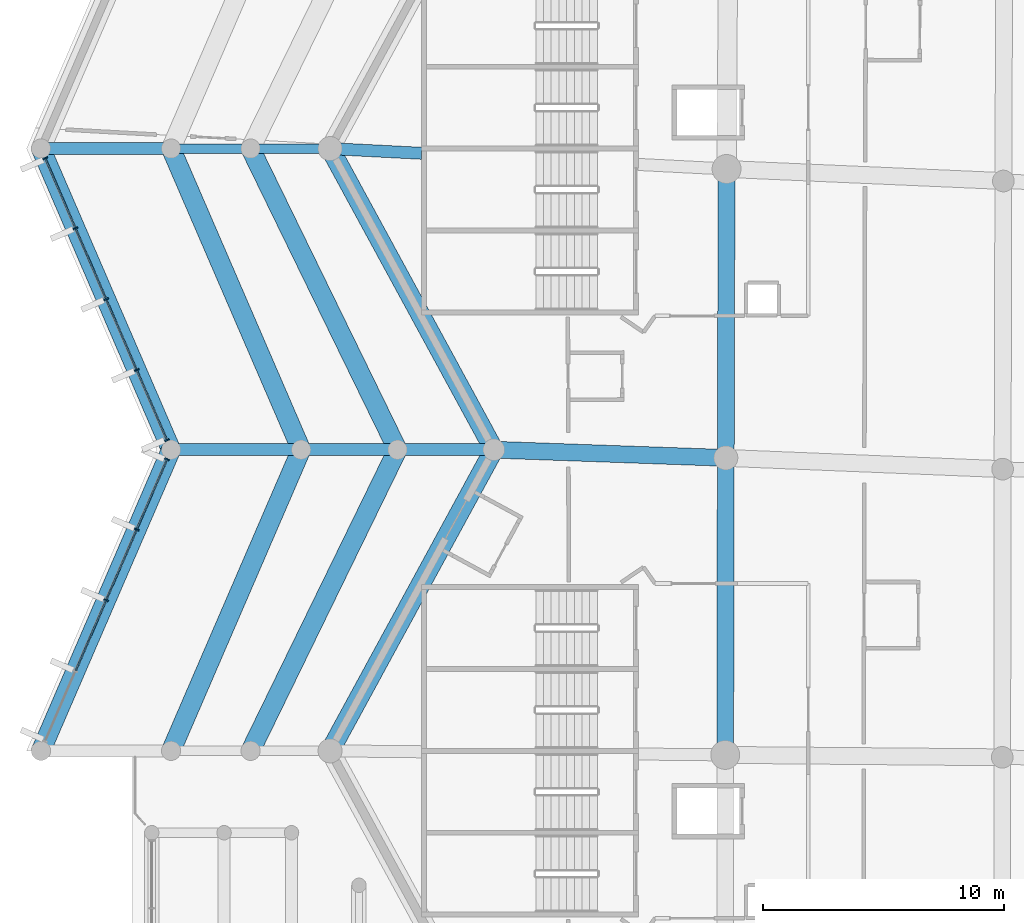
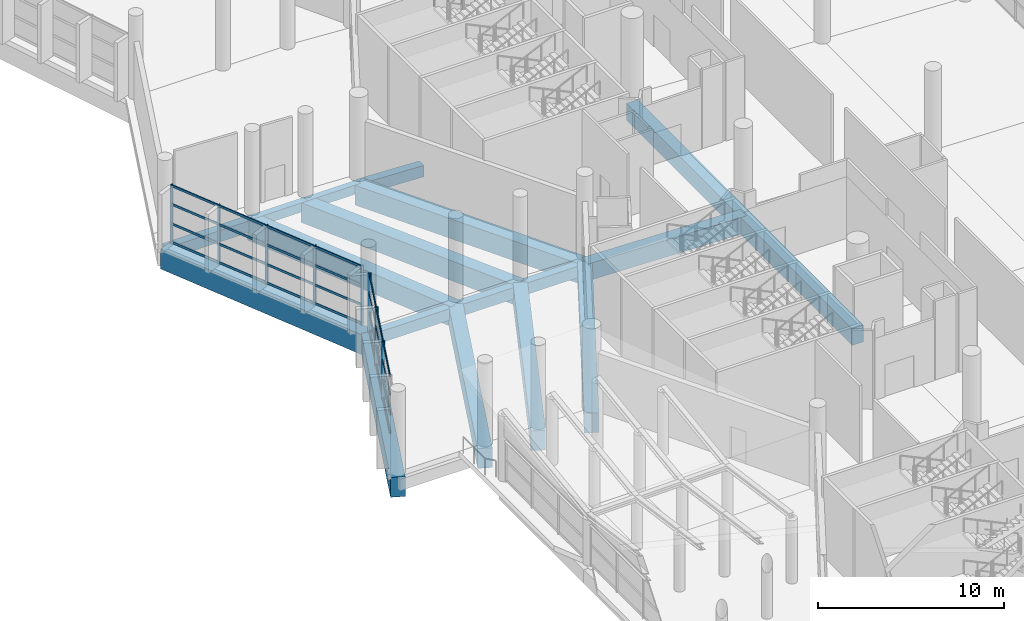
# One storey, part 67 of 271: 36 members, 18 beams, 2 elements without a shape of their own.
"""IFC4 building model written with IfcOpenShell, lengths in metres."""

from ifc_helpers import new_model, si_unit, direction, frame, origin, origin_2d, place, context, subcontext, project, spatial, rectangle, extrude, material, layer, layer_set, material_profile, profile_set, type_object, element, aggregate, save


model = new_model("IFC4")

# Units and contexts
model_context = context("Model", 3, precision=1e-05, world=origin(), true_north=direction((0.0, 1.0)))
body_context = subcontext(model_context, "Body", "Model", "MODEL_VIEW")
ifc_project = project(units=[si_unit("LENGTHUNIT", "METRE"), si_unit("AREAUNIT", "SQUARE_METRE"), si_unit("VOLUMEUNIT", "CUBIC_METRE"), si_unit("PLANEANGLEUNIT", "RADIAN"), si_unit("MASSUNIT", "GRAM", prefix="KILO")], contexts=[model_context])

# Site, building, storey
site_placement = place(None, origin())
site = spatial("IfcSite", under=ifc_project, at=site_placement, CompositionType="ELEMENT")
building_placement = place(site_placement, origin())
building = spatial("IfcBuilding", under=site, at=building_placement, Name="Meseta Stadium", CompositionType="ELEMENT")
storey_placement = place(building_placement, frame((0.0, 0.0, 6.5)))
storey = spatial("IfcBuildingStorey", under=building, at=storey_placement, Name="L01", CompositionType="ELEMENT", Elevation=6.5)

# Beams
ifc_material_1 = material(Name="Concrete C40/50", Category="concrete")
ifc_material_profile_1 = material_profile(ifc_material_1, rectangle(XDim=0.39990234375, YDim=0.60009765625, at=origin_2d()), Name="RC 400x600")
ifc_profile_set_1 = profile_set([ifc_material_profile_1], Name="Concrete C40/50")
beam_type_1 = type_object("IfcBeamType", Name="RC beam 400x600", PredefinedType="BEAM", material=ifc_profile_set_1)
for number, where, z_axis, x_axis, name in (
    (1, (-101.39990234375, 31.25, -0.64990234375), (-1.0, 0.0, 0.0), (0.0, -1.0, 0.0), "L01 radial beam frame 30 line R to M"),
    (2, (-104.699951171875, 31.25, -0.64990234375), (-1.0, 0.0, 0.0), (0.0, -1.0, 0.0), "L01 radial beam frame 30 line M to Q"),
):
    element("IfcBeam", number, at=place(storey_placement, frame(where, z_axis=z_axis, x_axis=x_axis)), inside=storey, type_object=beam_type_1, Name=name, PredefinedType="BEAM", context=body_context, shape_type="SweptSolid", body=[
        extrude(rectangle(XDim=0.39990234375, YDim=0.60009765625, at=origin_2d()), origin(), (0.0, 0.0, 1.0), 3.300048828125),
    ])
ifc_material_2 = material(Name="Concrete C40/50", Category="concrete")
ifc_material_profile_2 = material_profile(ifc_material_2, rectangle(XDim=0.5, YDim=0.75, at=origin_2d()), Name="RC 500x750")
ifc_profile_set_2 = profile_set([ifc_material_profile_2], Name="Concrete C40/50")
beam_type_2 = type_object("IfcBeamType", Name="RC beam 500x750", PredefinedType="BEAM", material=ifc_profile_set_2)
beam_1_placement = place(storey_placement, frame((-97.60009765625, 31.0546875, -0.72509765625), z_axis=(-0.998681597522, 0.05133290144, 0.0), x_axis=(-0.05133290144, -0.998681597522, 0.0)))
element("IfcBeam", 3, at=beam_1_placement, inside=storey, type_object=beam_type_2, Name="L01 radial beam frame 30 line P to R", PredefinedType="BEAM", context=body_context, shape_type="SweptSolid", body=[
    extrude(rectangle(XDim=0.5, YDim=0.75, at=origin_2d()), origin(), (0.0, 0.0, 1.0), 3.804931640625),
])
beam_2_placement = place(storey_placement, frame((-108.0, 31.25, -0.72509765625), z_axis=(-1.0, 0.0, 0.0), x_axis=(0.0, -1.0, 0.0)))
element("IfcBeam", 4, at=beam_2_placement, inside=storey, type_object=beam_type_2, Name="L01 radial beam frame 30 line Q to O", PredefinedType="BEAM", context=body_context, shape_type="SweptSolid", body=[
    extrude(rectangle(XDim=0.5, YDim=0.75, at=origin_2d()), origin(), (0.0, 0.0, 1.0), 5.39990234375),
])
for number, where, z_axis, x_axis, name in (
    (5, (-94.60009765625, 18.75, -0.72509765625), (-1.0, 0.0, 0.0), (0.0, -1.0, 0.0), "L01 radial beam frame 31 line R to M"),
    (6, (-98.60009765625, 18.75, -0.72509765625), (-1.0, 0.0, 0.0), (0.0, -1.0, 0.0), "L01 radial beam frame 31 line M to Q"),
):
    element("IfcBeam", number, at=place(storey_placement, frame(where, z_axis=z_axis, x_axis=x_axis)), inside=storey, type_object=beam_type_2, Name=name, PredefinedType="BEAM", context=body_context, shape_type="SweptSolid", body=[
        extrude(rectangle(XDim=0.5, YDim=0.75, at=origin_2d()), origin(), (0.0, 0.0, 1.0), 4.0),
    ])
beam_3_placement = place(storey_placement, frame((-102.60009765625, 18.75, -0.72509765625), z_axis=(-1.0, 0.0, 0.0), x_axis=(0.0, -1.0, 0.0)))
element("IfcBeam", 7, at=beam_3_placement, inside=storey, type_object=beam_type_2, Name="L01 radial beam frame 31 line Q to O", PredefinedType="BEAM", context=body_context, shape_type="SweptSolid", body=[
    extrude(rectangle(XDim=0.5, YDim=0.75, at=origin_2d()), origin(), (0.0, 0.0, 1.0), 5.39990234375),
])
ifc_material_3 = material(Name="Concrete C40/50", Category="concrete")
ifc_material_profile_3 = material_profile(ifc_material_3, rectangle(XDim=0.699951171875, YDim=1.10009765625, at=origin_2d()), Name="RC 700x1100")
ifc_profile_set_3 = profile_set([ifc_material_profile_3], Name="Concrete C40/50")
beam_type_3 = type_object("IfcBeamType", Name="RC beam 700x1100", PredefinedType="BEAM", material=ifc_profile_set_3)
beam_4_placement = place(storey_placement, frame((-84.940673828125, 30.404052734375, -0.89990234375), z_axis=(-0.002707369213, -0.999996335069, 0.0), x_axis=(0.999996335069, -0.002707369213, 0.0)))
element("IfcBeam", 8, at=beam_4_placement, inside=storey, type_object=beam_type_3, Name="L01 ring beam frame 30 line P", PredefinedType="BEAM", context=body_context, shape_type="SweptSolid", body=[
    extrude(rectangle(XDim=0.699951171875, YDim=1.10009765625, at=origin_2d()), origin(), (0.0, 0.0, 1.0), 11.993408203125),
])
beam_5_placement = place(storey_placement, frame((-84.97314453125, 18.41064453125, -0.89990234375), z_axis=(-0.001980154927, -0.999998039491, 0.0), x_axis=(0.999998039491, -0.001980154927, 0.0)))
element("IfcBeam", 9, at=beam_5_placement, inside=storey, type_object=beam_type_3, Name="L01 ring beam frame 31 line P", PredefinedType="BEAM", context=body_context, shape_type="SweptSolid", body=[
    extrude(rectangle(XDim=0.699951171875, YDim=1.10009765625, at=origin_2d()), origin(), (0.0, 0.0, 1.0), 12.329345703125),
])
beam_6_placement = place(storey_placement, frame((-84.97314453125, 18.41064453125, -0.89990234375), z_axis=(-0.999379277506, 0.035228677108, 0.0), x_axis=(-0.035228677108, -0.999379277506, 0.0)))
element("IfcBeam", 10, at=beam_6_placement, inside=storey, type_object=beam_type_3, Name="L01 radial beam frame 31 line P to R", PredefinedType="BEAM", context=body_context, shape_type="SweptSolid", body=[
    extrude(rectangle(XDim=0.699951171875, YDim=1.10009765625, at=origin_2d()), origin(), (0.0, 0.0, 1.0), 9.6328125),
])
ifc_material_4 = material(Name="Concrete C40/50", Category="concrete")
ifc_material_profile_4 = material_profile(ifc_material_4, rectangle(XDim=0.800048828125, YDim=1.300048828125, at=origin_2d()), Name="RC 800x1300")
ifc_profile_set_4 = profile_set([ifc_material_profile_4], Name="Concrete C40/50")
beam_type_4 = type_object("IfcBeamType", Name="RC beam 800x1300", PredefinedType="BEAM", material=ifc_profile_set_4)
for number, where, z_axis, x_axis, name in (
    (11, (-101.39990234375, 31.25, -1.0), (0.47785649891, -0.878437912689, 0.0), (0.878437912689, 0.47785649891, 0.0), "L01 ring beam frame 30 line R"),
    (12, (-94.60009765625, 18.75, -1.0), (-0.47785649891, -0.878437912689, 0.0), (0.878437912689, -0.47785649891, 0.0), "L01 ring beam frame 31 line R"),
):
    element("IfcBeam", number, at=place(storey_placement, frame(where, z_axis=z_axis, x_axis=x_axis)), inside=storey, type_object=beam_type_4, Name=name, PredefinedType="BEAM", context=body_context, shape_type="SweptSolid", body=[
        extrude(rectangle(XDim=0.800048828125, YDim=1.300048828125, at=origin_2d()), origin(), (0.0, 0.0, 1.0), 14.229736328125),
    ])
beam_7_placement = place(storey_placement, frame((-104.699951171875, 31.25, -1.0), z_axis=(0.438556770405, -0.898703487882, 0.0), x_axis=(0.898703487882, 0.438556770405, 0.0)))
element("IfcBeam", 13, at=beam_7_placement, inside=storey, type_object=beam_type_4, Name="L01 ring beam frame 30 line M", PredefinedType="BEAM", context=body_context, shape_type="SweptSolid", body=[
    extrude(rectangle(XDim=0.800048828125, YDim=1.300048828125, at=origin_2d()), origin(), (0.0, 0.0, 1.0), 13.908935546875),
])
for number, where, z_axis, x_axis, name in (
    (14, (-108.0, 31.25, -1.0), (0.396570645327, -0.918004206562, 0.0), (0.918004206562, 0.396570645327, 0.0), "L01 ring beam frame 30 line Q"),
    (15, (-113.39990234375, 31.25, -1.0), (0.396570645327, -0.918004206562, 0.0), (0.918004206562, 0.396570645327, 0.0), "L01 ring beam frame 30 line O"),
):
    element("IfcBeam", number, at=place(storey_placement, frame(where, z_axis=z_axis, x_axis=x_axis)), inside=storey, type_object=beam_type_4, Name=name, PredefinedType="BEAM", context=body_context, shape_type="SweptSolid", body=[
        extrude(rectangle(XDim=0.800048828125, YDim=1.300048828125, at=origin_2d()), origin(), (0.0, 0.0, 1.0), 13.616455078125),
    ])
beam_8_placement = place(storey_placement, frame((-98.60009765625, 18.75, -1.0), z_axis=(-0.438556770405, -0.898703487882, 0.0), x_axis=(0.898703487882, -0.438556770405, 0.0)))
element("IfcBeam", 16, at=beam_8_placement, inside=storey, type_object=beam_type_4, Name="L01 ring beam frame 31 line M", PredefinedType="BEAM", context=body_context, shape_type="SweptSolid", body=[
    extrude(rectangle(XDim=0.800048828125, YDim=1.300048828125, at=origin_2d()), origin(), (0.0, 0.0, 1.0), 13.908935546875),
])
for number, where, z_axis, x_axis, name in (
    (17, (-102.60009765625, 18.75, -1.0), (-0.396570645327, -0.918004206562, 0.0), (0.918004206562, -0.396570645327, 0.0), "L01 ring beam frame 31 line Q"),
    (18, (-108.0, 18.75, -1.0), (-0.396570645327, -0.918004206562, 0.0), (0.918004206562, -0.396570645327, 0.0), "L01 ring beam frame 31 line O"),
):
    element("IfcBeam", number, at=place(storey_placement, frame(where, z_axis=z_axis, x_axis=x_axis)), inside=storey, type_object=beam_type_4, Name=name, PredefinedType="BEAM", context=body_context, shape_type="SweptSolid", body=[
        extrude(rectangle(XDim=0.800048828125, YDim=1.300048828125, at=origin_2d()), origin(), (0.0, 0.0, 1.0), 13.616455078125),
    ])

# Curtain wall, members
ifc_material_5 = material(Name="Aluminium", Category="aluminium")
ifc_layer = layer(ifc_material_5, 0.199951171875)
ifc_layer_set = layer_set([ifc_layer], Name="Ring shopfront curtain wall")
curtain_wall_type = type_object("IfcCurtainWallType", Name="Ring shopfront curtain wall", PredefinedType="NOTDEFINED", material=ifc_layer_set)
curtain_wall_1_placement = place(storey_placement, origin())
curtain_wall_1 = element("IfcCurtainWall", 19, at=curtain_wall_1_placement, inside=storey, type_object=curtain_wall_type, Name="Ring glazing L01 F30", PredefinedType="NOTDEFINED")
ifc_material_6 = material(Name="Aluminium", Category="aluminium")
ifc_material_profile_5 = material_profile(ifc_material_6, rectangle(XDim=0.199951171875, YDim=0.06005859375, at=origin_2d()), Name="CW 200x60")
ifc_profile_set_5 = profile_set([ifc_material_profile_5], Name="Aluminium")
member_type_1 = type_object("IfcMemberType", Name="Ring CW mullion 60x200", PredefinedType="MULLION", material=ifc_profile_set_5)
member_1_placement = place(storey_placement, frame((-113.2294921875, 30.855224609375, 0.0), z_axis=(0.0, 0.0, 1.0), x_axis=(0.91799986854, 0.396580687073, 0.0)))
member_1 = element("IfcMember", 20, at=member_1_placement, type_object=member_type_1, Name="CWR1 mullion 1", PredefinedType="MULLION", context=body_context, shape_type="SweptSolid", body=[
    extrude(rectangle(XDim=0.199951171875, YDim=0.06005859375, at=origin_2d()), origin(), (0.0, 0.0, 1.0), 3.85009765625),
])
member_2_placement = place(storey_placement, frame((-111.970703125, 27.94140625, 0.0), z_axis=(0.0, 0.0, 1.0), x_axis=(0.91799986854, 0.396580687073, 0.0)))
member_2 = element("IfcMember", 21, at=member_2_placement, type_object=member_type_1, Name="CWR1 mullion 2", PredefinedType="MULLION", context=body_context, shape_type="SweptSolid", body=[
    extrude(rectangle(XDim=0.199951171875, YDim=0.06005859375, at=origin_2d()), origin(), (0.0, 0.0, 1.0), 3.85009765625),
])
member_3_placement = place(storey_placement, frame((-110.699951171875, 25.0, 0.0), z_axis=(0.0, 0.0, 1.0), x_axis=(0.91799986854, 0.396580687073, 0.0)))
member_3 = element("IfcMember", 22, at=member_3_placement, type_object=member_type_1, Name="CWR1 mullion 3", PredefinedType="MULLION", context=body_context, shape_type="SweptSolid", body=[
    extrude(rectangle(XDim=0.199951171875, YDim=0.06005859375, at=origin_2d()), origin(), (0.0, 0.0, 1.0), 3.85009765625),
])
member_4_placement = place(storey_placement, frame((-109.42919921875, 22.05859375, 0.0), z_axis=(0.0, 0.0, 1.0), x_axis=(0.91799986854, 0.396580687073, 0.0)))
member_4 = element("IfcMember", 23, at=member_4_placement, type_object=member_type_1, Name="CWR1 mullion 4", PredefinedType="MULLION", context=body_context, shape_type="SweptSolid", body=[
    extrude(rectangle(XDim=0.199951171875, YDim=0.06005859375, at=origin_2d()), origin(), (0.0, 0.0, 1.0), 3.85009765625),
])
member_5_placement = place(storey_placement, frame((-108.17041015625, 19.144775390625, 0.0), z_axis=(0.0, 0.0, 1.0), x_axis=(0.91799986854, 0.396580687073, 0.0)))
member_5 = element("IfcMember", 24, at=member_5_placement, type_object=member_type_1, Name="CWR1 mullion 5", PredefinedType="MULLION", context=body_context, shape_type="SweptSolid", body=[
    extrude(rectangle(XDim=0.199951171875, YDim=0.06005859375, at=origin_2d()), origin(), (0.0, 0.0, 1.0), 3.85009765625),
])

curtain_wall_2_placement = place(storey_placement, origin())
curtain_wall_2 = element("IfcCurtainWall", 25, at=curtain_wall_2_placement, inside=storey, type_object=curtain_wall_type, Name="Ring glazing L01 F31", PredefinedType="NOTDEFINED")
member_6_placement = place(storey_placement, frame((-108.17041015625, 18.355224609375, 0.0), z_axis=(0.0, 0.0, 1.0), x_axis=(0.91799986854, -0.396580687073, 0.0)))
member_6 = element("IfcMember", 26, at=member_6_placement, type_object=member_type_1, Name="CWR1 mullion 1", PredefinedType="MULLION", context=body_context, shape_type="SweptSolid", body=[
    extrude(rectangle(XDim=0.199951171875, YDim=0.06005859375, at=origin_2d()), origin(), (0.0, 0.0, 1.0), 3.85009765625),
])
member_7_placement = place(storey_placement, frame((-109.42919921875, 15.44140625, 0.0), z_axis=(0.0, 0.0, 1.0), x_axis=(0.91799986854, -0.396580687073, 0.0)))
member_7 = element("IfcMember", 27, at=member_7_placement, type_object=member_type_1, Name="CWR1 mullion 2", PredefinedType="MULLION", context=body_context, shape_type="SweptSolid", body=[
    extrude(rectangle(XDim=0.199951171875, YDim=0.06005859375, at=origin_2d()), origin(), (0.0, 0.0, 1.0), 3.85009765625),
])
member_8_placement = place(storey_placement, frame((-110.699951171875, 12.5, 0.0), z_axis=(0.0, 0.0, 1.0), x_axis=(0.91799986854, -0.396580687073, 0.0)))
member_8 = element("IfcMember", 28, at=member_8_placement, type_object=member_type_1, Name="CWR1 mullion 3", PredefinedType="MULLION", context=body_context, shape_type="SweptSolid", body=[
    extrude(rectangle(XDim=0.199951171875, YDim=0.06005859375, at=origin_2d()), origin(), (0.0, 0.0, 1.0), 3.85009765625),
])

# Member
ifc_material_7 = material(Name="Aluminium", Category="aluminium")
ifc_material_profile_6 = material_profile(ifc_material_7, rectangle(XDim=0.06005859375, YDim=0.14990234375, at=origin_2d()), Name="CW 60x150")
ifc_profile_set_6 = profile_set([ifc_material_profile_6], Name="Aluminium")
member_type_2 = type_object("IfcMemberType", Name="Ring CW transom 60x150", PredefinedType="USERDEFINED", material=ifc_profile_set_6)
member_9_placement = place(storey_placement, frame((-113.217529296875, 30.82763671875, 0.074951171875), z_axis=(0.396557660608, -0.91800981575, 0.0), x_axis=(0.91800981575, 0.396557660608, 0.0)))
member_9 = element("IfcMember", 29, at=member_9_placement, type_object=member_type_2, Name="CWR1 transom 1.1", ObjectType="TRANSOM", PredefinedType="USERDEFINED", context=body_context, shape_type="SweptSolid", body=[
    extrude(rectangle(XDim=0.06005859375, YDim=0.14990234375, at=origin_2d()), origin(), (0.0, 0.0, 1.0), 3.114013671875),
])

member_10_placement = place(storey_placement, frame((-113.217529296875, 30.82763671875, 1.283447265625), z_axis=(0.396557660608, -0.91800981575, 0.0), x_axis=(0.91800981575, 0.396557660608, 0.0)))
member_10 = element("IfcMember", 30, at=member_10_placement, type_object=member_type_2, Name="CWR1 transom 1.2", ObjectType="TRANSOM", PredefinedType="USERDEFINED", context=body_context, shape_type="SweptSolid", body=[
    extrude(rectangle(XDim=0.06005859375, YDim=0.14990234375, at=origin_2d()), origin(), (0.0, 0.0, 1.0), 3.114013671875),
])

member_11_placement = place(storey_placement, frame((-113.217529296875, 30.82763671875, 2.566650390625), z_axis=(0.396557660608, -0.91800981575, 0.0), x_axis=(0.91800981575, 0.396557660608, 0.0)))
member_11 = element("IfcMember", 31, at=member_11_placement, type_object=member_type_2, Name="CWR1 transom 1.3", ObjectType="TRANSOM", PredefinedType="USERDEFINED", context=body_context, shape_type="SweptSolid", body=[
    extrude(rectangle(XDim=0.06005859375, YDim=0.14990234375, at=origin_2d()), origin(), (0.0, 0.0, 1.0), 3.114013671875),
])

member_12_placement = place(storey_placement, frame((-113.217529296875, 30.82763671875, 3.77490234375), z_axis=(0.396557660608, -0.91800981575, 0.0), x_axis=(0.91800981575, 0.396557660608, 0.0)))
member_12 = element("IfcMember", 32, at=member_12_placement, type_object=member_type_2, Name="CWR1 transom 1.4", ObjectType="TRANSOM", PredefinedType="USERDEFINED", context=body_context, shape_type="SweptSolid", body=[
    extrude(rectangle(XDim=0.06005859375, YDim=0.14990234375, at=origin_2d()), origin(), (0.0, 0.0, 1.0), 3.114013671875),
])

member_13_placement = place(storey_placement, frame((-111.958740234375, 27.913818359375, 0.074951171875), z_axis=(0.396569883564, -0.918004535637, 0.0), x_axis=(0.918004535637, 0.396569883564, 0.0)))
member_13 = element("IfcMember", 33, at=member_13_placement, type_object=member_type_2, Name="CWR1 transom 2.1", ObjectType="TRANSOM", PredefinedType="USERDEFINED", context=body_context, shape_type="SweptSolid", body=[
    extrude(rectangle(XDim=0.06005859375, YDim=0.14990234375, at=origin_2d()), origin(), (0.0, 0.0, 1.0), 3.14404296875),
])

member_14_placement = place(storey_placement, frame((-111.958740234375, 27.913818359375, 1.283447265625), z_axis=(0.396569883564, -0.918004535637, 0.0), x_axis=(0.918004535637, 0.396569883564, 0.0)))
member_14 = element("IfcMember", 34, at=member_14_placement, type_object=member_type_2, Name="CWR1 transom 2.2", ObjectType="TRANSOM", PredefinedType="USERDEFINED", context=body_context, shape_type="SweptSolid", body=[
    extrude(rectangle(XDim=0.06005859375, YDim=0.14990234375, at=origin_2d()), origin(), (0.0, 0.0, 1.0), 3.14404296875),
])

member_15_placement = place(storey_placement, frame((-111.958740234375, 27.913818359375, 2.566650390625), z_axis=(0.396569883564, -0.918004535637, 0.0), x_axis=(0.918004535637, 0.396569883564, 0.0)))
member_15 = element("IfcMember", 35, at=member_15_placement, type_object=member_type_2, Name="CWR1 transom 2.3", ObjectType="TRANSOM", PredefinedType="USERDEFINED", context=body_context, shape_type="SweptSolid", body=[
    extrude(rectangle(XDim=0.06005859375, YDim=0.14990234375, at=origin_2d()), origin(), (0.0, 0.0, 1.0), 3.14404296875),
])

member_16_placement = place(storey_placement, frame((-111.958740234375, 27.913818359375, 3.77490234375), z_axis=(0.396569883564, -0.918004535637, 0.0), x_axis=(0.918004535637, 0.396569883564, 0.0)))
member_16 = element("IfcMember", 36, at=member_16_placement, type_object=member_type_2, Name="CWR1 transom 2.4", ObjectType="TRANSOM", PredefinedType="USERDEFINED", context=body_context, shape_type="SweptSolid", body=[
    extrude(rectangle(XDim=0.06005859375, YDim=0.14990234375, at=origin_2d()), origin(), (0.0, 0.0, 1.0), 3.14404296875),
])

member_17_placement = place(storey_placement, frame((-110.68798828125, 24.972412109375, 0.074951171875), z_axis=(0.396569883564, -0.918004535637, 0.0), x_axis=(0.918004535637, 0.396569883564, 0.0)))
member_17 = element("IfcMember", 37, at=member_17_placement, type_object=member_type_2, Name="CWR1 transom 3.1", ObjectType="TRANSOM", PredefinedType="USERDEFINED", context=body_context, shape_type="SweptSolid", body=[
    extrude(rectangle(XDim=0.06005859375, YDim=0.14990234375, at=origin_2d()), origin(), (0.0, 0.0, 1.0), 3.14404296875),
])

member_18_placement = place(storey_placement, frame((-110.68798828125, 24.972412109375, 1.283447265625), z_axis=(0.396569883564, -0.918004535637, 0.0), x_axis=(0.918004535637, 0.396569883564, 0.0)))
member_18 = element("IfcMember", 38, at=member_18_placement, type_object=member_type_2, Name="CWR1 transom 3.2", ObjectType="TRANSOM", PredefinedType="USERDEFINED", context=body_context, shape_type="SweptSolid", body=[
    extrude(rectangle(XDim=0.06005859375, YDim=0.14990234375, at=origin_2d()), origin(), (0.0, 0.0, 1.0), 3.14404296875),
])

member_19_placement = place(storey_placement, frame((-110.68798828125, 24.972412109375, 2.566650390625), z_axis=(0.396569883564, -0.918004535637, 0.0), x_axis=(0.918004535637, 0.396569883564, 0.0)))
member_19 = element("IfcMember", 39, at=member_19_placement, type_object=member_type_2, Name="CWR1 transom 3.3", ObjectType="TRANSOM", PredefinedType="USERDEFINED", context=body_context, shape_type="SweptSolid", body=[
    extrude(rectangle(XDim=0.06005859375, YDim=0.14990234375, at=origin_2d()), origin(), (0.0, 0.0, 1.0), 3.14404296875),
])

member_20_placement = place(storey_placement, frame((-110.68798828125, 24.972412109375, 3.77490234375), z_axis=(0.396569883564, -0.918004535637, 0.0), x_axis=(0.918004535637, 0.396569883564, 0.0)))
member_20 = element("IfcMember", 40, at=member_20_placement, type_object=member_type_2, Name="CWR1 transom 3.4", ObjectType="TRANSOM", PredefinedType="USERDEFINED", context=body_context, shape_type="SweptSolid", body=[
    extrude(rectangle(XDim=0.06005859375, YDim=0.14990234375, at=origin_2d()), origin(), (0.0, 0.0, 1.0), 3.14404296875),
])

member_21_placement = place(storey_placement, frame((-109.41748046875, 22.031005859375, 0.074951171875), z_axis=(0.396623730244, -0.917981272471, 0.0), x_axis=(0.917981272471, 0.396623730244, 0.0)))
member_21 = element("IfcMember", 41, at=member_21_placement, type_object=member_type_2, Name="CWR1 transom 4.1", ObjectType="TRANSOM", PredefinedType="USERDEFINED", context=body_context, shape_type="SweptSolid", body=[
    extrude(rectangle(XDim=0.06005859375, YDim=0.14990234375, at=origin_2d()), origin(), (0.0, 0.0, 1.0), 3.114013671875),
])

member_22_placement = place(storey_placement, frame((-109.41748046875, 22.031005859375, 1.283447265625), z_axis=(0.396623730244, -0.917981272471, 0.0), x_axis=(0.917981272471, 0.396623730244, 0.0)))
member_22 = element("IfcMember", 42, at=member_22_placement, type_object=member_type_2, Name="CWR1 transom 4.2", ObjectType="TRANSOM", PredefinedType="USERDEFINED", context=body_context, shape_type="SweptSolid", body=[
    extrude(rectangle(XDim=0.06005859375, YDim=0.14990234375, at=origin_2d()), origin(), (0.0, 0.0, 1.0), 3.114013671875),
])

member_23_placement = place(storey_placement, frame((-109.41748046875, 22.031005859375, 2.566650390625), z_axis=(0.396623730244, -0.917981272471, 0.0), x_axis=(0.917981272471, 0.396623730244, 0.0)))
member_23 = element("IfcMember", 43, at=member_23_placement, type_object=member_type_2, Name="CWR1 transom 4.3", ObjectType="TRANSOM", PredefinedType="USERDEFINED", context=body_context, shape_type="SweptSolid", body=[
    extrude(rectangle(XDim=0.06005859375, YDim=0.14990234375, at=origin_2d()), origin(), (0.0, 0.0, 1.0), 3.114013671875),
])

member_24_placement = place(storey_placement, frame((-109.41748046875, 22.031005859375, 3.77490234375), z_axis=(0.396623730244, -0.917981272471, 0.0), x_axis=(0.917981272471, 0.396623730244, 0.0)))
member_24 = element("IfcMember", 44, at=member_24_placement, type_object=member_type_2, Name="CWR1 transom 4.4", ObjectType="TRANSOM", PredefinedType="USERDEFINED", context=body_context, shape_type="SweptSolid", body=[
    extrude(rectangle(XDim=0.06005859375, YDim=0.14990234375, at=origin_2d()), origin(), (0.0, 0.0, 1.0), 3.114013671875),
])

aggregate(curtain_wall_1, [member_1, member_2, member_3, member_4, member_5, member_9, member_10, member_11, member_12, member_13, member_14, member_15, member_16, member_17, member_18, member_19, member_20, member_21, member_22, member_23, member_24])

member_25_placement = place(storey_placement, frame((-108.182373046875, 18.32763671875, 0.074951171875), z_axis=(-0.396623730244, -0.917981272471, 0.0), x_axis=(0.917981272471, -0.396623730244, 0.0)))
member_25 = element("IfcMember", 45, at=member_25_placement, type_object=member_type_2, Name="CWR1 transom 1.1", ObjectType="TRANSOM", PredefinedType="USERDEFINED", context=body_context, shape_type="SweptSolid", body=[
    extrude(rectangle(XDim=0.06005859375, YDim=0.14990234375, at=origin_2d()), origin(), (0.0, 0.0, 1.0), 3.114013671875),
])

member_26_placement = place(storey_placement, frame((-108.182373046875, 18.32763671875, 1.283447265625), z_axis=(-0.396623730244, -0.917981272471, 0.0), x_axis=(0.917981272471, -0.396623730244, 0.0)))
member_26 = element("IfcMember", 46, at=member_26_placement, type_object=member_type_2, Name="CWR1 transom 1.2", ObjectType="TRANSOM", PredefinedType="USERDEFINED", context=body_context, shape_type="SweptSolid", body=[
    extrude(rectangle(XDim=0.06005859375, YDim=0.14990234375, at=origin_2d()), origin(), (0.0, 0.0, 1.0), 3.114013671875),
])

member_27_placement = place(storey_placement, frame((-108.182373046875, 18.32763671875, 2.566650390625), z_axis=(-0.396623730244, -0.917981272471, 0.0), x_axis=(0.917981272471, -0.396623730244, 0.0)))
member_27 = element("IfcMember", 47, at=member_27_placement, type_object=member_type_2, Name="CWR1 transom 1.3", ObjectType="TRANSOM", PredefinedType="USERDEFINED", context=body_context, shape_type="SweptSolid", body=[
    extrude(rectangle(XDim=0.06005859375, YDim=0.14990234375, at=origin_2d()), origin(), (0.0, 0.0, 1.0), 3.114013671875),
])

member_28_placement = place(storey_placement, frame((-108.182373046875, 18.32763671875, 3.77490234375), z_axis=(-0.396623730244, -0.917981272471, 0.0), x_axis=(0.917981272471, -0.396623730244, 0.0)))
member_28 = element("IfcMember", 48, at=member_28_placement, type_object=member_type_2, Name="CWR1 transom 1.4", ObjectType="TRANSOM", PredefinedType="USERDEFINED", context=body_context, shape_type="SweptSolid", body=[
    extrude(rectangle(XDim=0.06005859375, YDim=0.14990234375, at=origin_2d()), origin(), (0.0, 0.0, 1.0), 3.114013671875),
])

member_29_placement = place(storey_placement, frame((-109.441162109375, 15.413818359375, 0.074951171875), z_axis=(-0.396569883564, -0.918004535637, 0.0), x_axis=(0.918004535637, -0.396569883564, 0.0)))
member_29 = element("IfcMember", 49, at=member_29_placement, type_object=member_type_2, Name="CWR1 transom 2.1", ObjectType="TRANSOM", PredefinedType="USERDEFINED", context=body_context, shape_type="SweptSolid", body=[
    extrude(rectangle(XDim=0.06005859375, YDim=0.14990234375, at=origin_2d()), origin(), (0.0, 0.0, 1.0), 3.14404296875),
])

member_30_placement = place(storey_placement, frame((-109.441162109375, 15.413818359375, 1.283447265625), z_axis=(-0.396569883564, -0.918004535637, 0.0), x_axis=(0.918004535637, -0.396569883564, 0.0)))
member_30 = element("IfcMember", 50, at=member_30_placement, type_object=member_type_2, Name="CWR1 transom 2.2", ObjectType="TRANSOM", PredefinedType="USERDEFINED", context=body_context, shape_type="SweptSolid", body=[
    extrude(rectangle(XDim=0.06005859375, YDim=0.14990234375, at=origin_2d()), origin(), (0.0, 0.0, 1.0), 3.14404296875),
])

member_31_placement = place(storey_placement, frame((-109.441162109375, 15.413818359375, 2.566650390625), z_axis=(-0.396569883564, -0.918004535637, 0.0), x_axis=(0.918004535637, -0.396569883564, 0.0)))
member_31 = element("IfcMember", 51, at=member_31_placement, type_object=member_type_2, Name="CWR1 transom 2.3", ObjectType="TRANSOM", PredefinedType="USERDEFINED", context=body_context, shape_type="SweptSolid", body=[
    extrude(rectangle(XDim=0.06005859375, YDim=0.14990234375, at=origin_2d()), origin(), (0.0, 0.0, 1.0), 3.14404296875),
])

member_32_placement = place(storey_placement, frame((-109.441162109375, 15.413818359375, 3.77490234375), z_axis=(-0.396569883564, -0.918004535637, 0.0), x_axis=(0.918004535637, -0.396569883564, 0.0)))
member_32 = element("IfcMember", 52, at=member_32_placement, type_object=member_type_2, Name="CWR1 transom 2.4", ObjectType="TRANSOM", PredefinedType="USERDEFINED", context=body_context, shape_type="SweptSolid", body=[
    extrude(rectangle(XDim=0.06005859375, YDim=0.14990234375, at=origin_2d()), origin(), (0.0, 0.0, 1.0), 3.14404296875),
])

member_33_placement = place(storey_placement, frame((-110.7119140625, 12.472412109375, 0.074951171875), z_axis=(-0.396569883564, -0.918004535637, 0.0), x_axis=(0.918004535637, -0.396569883564, 0.0)))
member_33 = element("IfcMember", 53, at=member_33_placement, type_object=member_type_2, Name="CWR1 transom 3.1", ObjectType="TRANSOM", PredefinedType="USERDEFINED", context=body_context, shape_type="SweptSolid", body=[
    extrude(rectangle(XDim=0.06005859375, YDim=0.14990234375, at=origin_2d()), origin(), (0.0, 0.0, 1.0), 3.14404296875),
])

member_34_placement = place(storey_placement, frame((-110.7119140625, 12.472412109375, 1.283447265625), z_axis=(-0.396569883564, -0.918004535637, 0.0), x_axis=(0.918004535637, -0.396569883564, 0.0)))
member_34 = element("IfcMember", 54, at=member_34_placement, type_object=member_type_2, Name="CWR1 transom 3.2", ObjectType="TRANSOM", PredefinedType="USERDEFINED", context=body_context, shape_type="SweptSolid", body=[
    extrude(rectangle(XDim=0.06005859375, YDim=0.14990234375, at=origin_2d()), origin(), (0.0, 0.0, 1.0), 3.14404296875),
])

member_35_placement = place(storey_placement, frame((-110.7119140625, 12.472412109375, 2.566650390625), z_axis=(-0.396569883564, -0.918004535637, 0.0), x_axis=(0.918004535637, -0.396569883564, 0.0)))
member_35 = element("IfcMember", 55, at=member_35_placement, type_object=member_type_2, Name="CWR1 transom 3.3", ObjectType="TRANSOM", PredefinedType="USERDEFINED", context=body_context, shape_type="SweptSolid", body=[
    extrude(rectangle(XDim=0.06005859375, YDim=0.14990234375, at=origin_2d()), origin(), (0.0, 0.0, 1.0), 3.14404296875),
])

member_36_placement = place(storey_placement, frame((-110.7119140625, 12.472412109375, 3.77490234375), z_axis=(-0.396569883564, -0.918004535637, 0.0), x_axis=(0.918004535637, -0.396569883564, 0.0)))
member_36 = element("IfcMember", 56, at=member_36_placement, type_object=member_type_2, Name="CWR1 transom 3.4", ObjectType="TRANSOM", PredefinedType="USERDEFINED", context=body_context, shape_type="SweptSolid", body=[
    extrude(rectangle(XDim=0.06005859375, YDim=0.14990234375, at=origin_2d()), origin(), (0.0, 0.0, 1.0), 3.14404296875),
])

aggregate(curtain_wall_2, [member_6, member_7, member_8, member_25, member_26, member_27, member_28, member_29, member_30, member_31, member_32, member_33, member_34, member_35, member_36])

save(model, "model.ifc")
